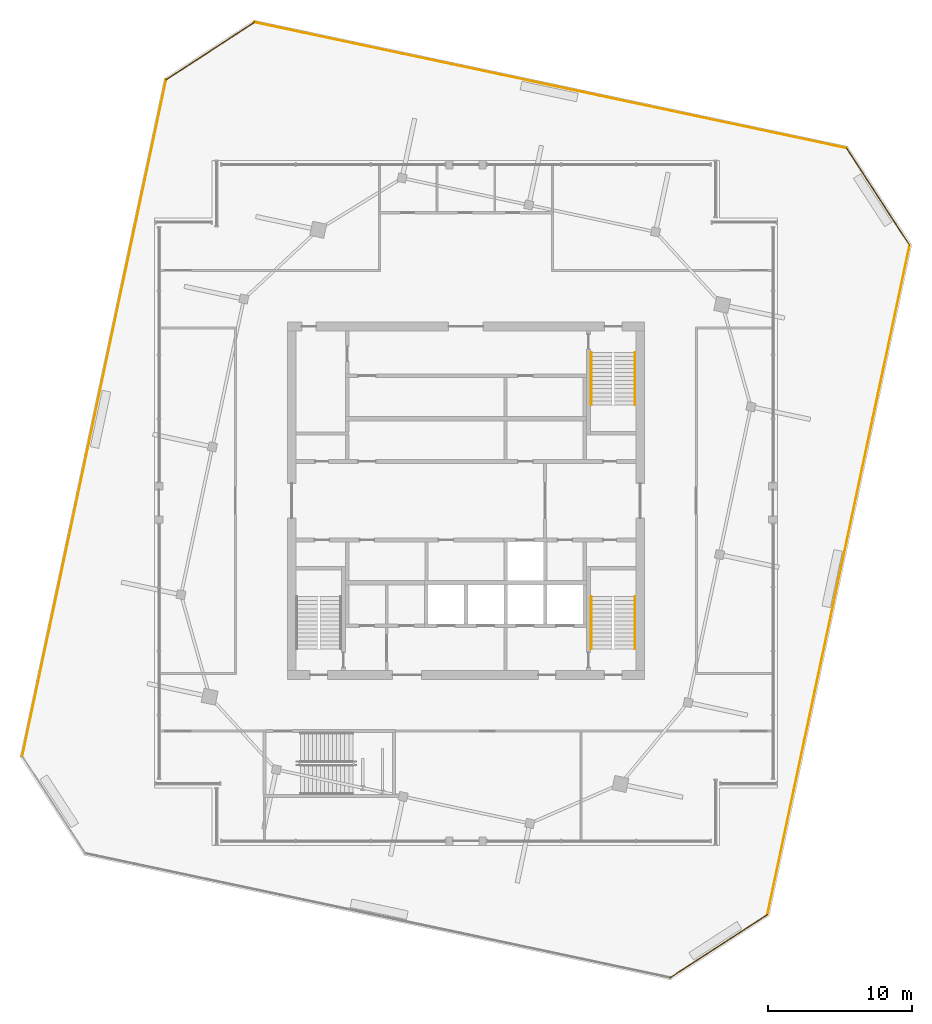
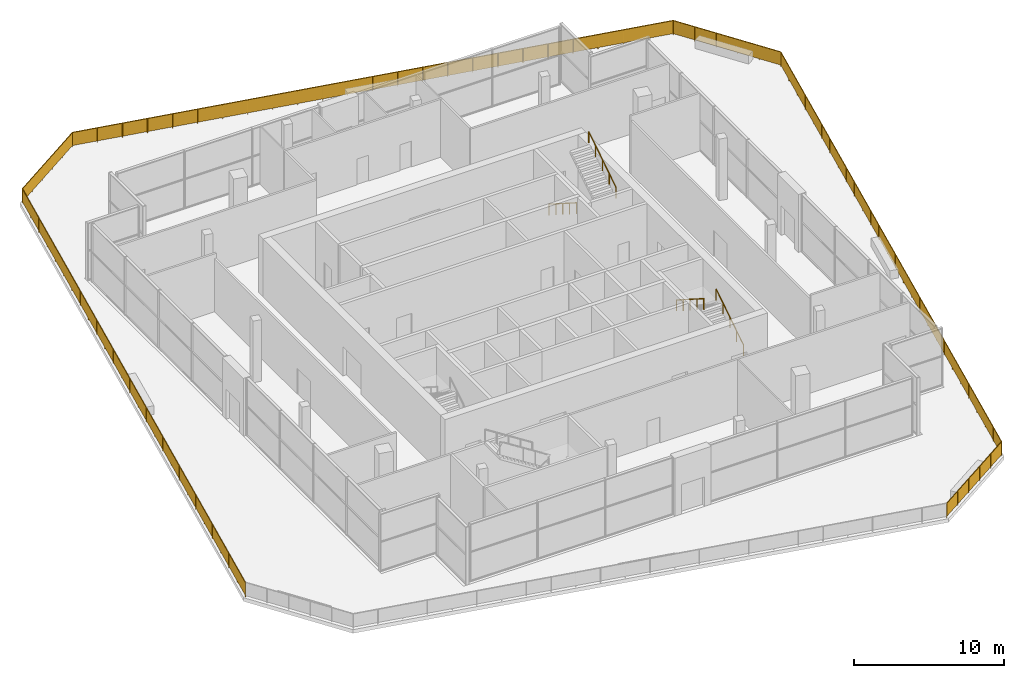
# One storey, part 13 of 14: 10 railings.
"""IFC4 building model written with IfcOpenShell, lengths in metres."""

from ifc_helpers import new_model, si_unit, direction, frame, origin, origin_2d, place, context, subcontext, project, spatial, rectangle, circle, extrude, material, type_object, element, save


model = new_model("IFC4")

# Units and contexts
model_context = context("Model", 3, precision=1e-05, world=origin(), true_north=direction((0.0, 1.0)))
body_context = subcontext(model_context, "Body", "Model", "MODEL_VIEW")
ifc_project = project(units=[si_unit("LENGTHUNIT", "METRE"), si_unit("AREAUNIT", "SQUARE_METRE"), si_unit("VOLUMEUNIT", "CUBIC_METRE"), si_unit("PLANEANGLEUNIT", "RADIAN"), si_unit("MASSUNIT", "GRAM", prefix="KILO")], contexts=[model_context])

# Site, building, storey
site_placement = place(None, origin())
site = spatial("IfcSite", under=ifc_project, at=site_placement, CompositionType="ELEMENT")
building_placement = place(site_placement, origin())
building = spatial("IfcBuilding", under=site, at=building_placement, Name="Dilmun Exchange Tower", CompositionType="ELEMENT")
storey_placement = place(building_placement, frame((0.0, 0.0, 368.10009765625)))
storey = spatial("IfcBuildingStorey", under=building, at=storey_placement, Name="Crown L86", CompositionType="ELEMENT", Elevation=368.10009765625)

# Railings
ifc_material_1 = material(Name="Laminated glass and stainless steel", Category="steel")
railing_type_1 = type_object("IfcRailingType", Name="Public deck guard 1200 laminated glass", PredefinedType="GUARDRAIL", material=ifc_material_1)
railing_1_placement = place(storey_placement, frame((20.931640625, -28.74169921875, 0.0)))
element("IfcRailing", 1, at=railing_1_placement, inside=storey, type_object=railing_type_1, Name="Observation deck guard 1", PredefinedType="GUARDRAIL", context=body_context, shape_type="SweptSolid", body=[
    extrude(circle(Radius=0.02392578125, at=origin_2d()), frame((0.0, 0.0, 1.17578125), z_axis=(0.207914605459, 0.978146981203, 0.0), x_axis=(-0.978146981203, 0.207914605459, 0.0)), (0.0, 0.0, 1.0), 47.523681640625),
    extrude(rectangle(XDim=0.011962890625, YDim=1.0517578125, at=origin_2d()), frame((0.0, 0.0, 0.6259765625), z_axis=(0.207914605459, 0.978146981203, 0.0), x_axis=(-0.978146981203, 0.207914605459, 0.0)), (0.0, 0.0, 1.0), 47.523681640625),
    extrude(circle(Radius=0.02099609375, at=origin_2d()), origin(), (0.0, 0.0, 1.0), 1.15185546875),
    extrude(circle(Radius=0.02099609375, at=origin_2d()), frame((0.365966796875, 1.7216796875, 0.0)), (0.0, 0.0, 1.0), 1.15185546875),
    extrude(circle(Radius=0.02099609375, at=origin_2d()), frame((0.73193359375, 3.443359375, 0.0)), (0.0, 0.0, 1.0), 1.15185546875),
    extrude(circle(Radius=0.02099609375, at=origin_2d()), frame((1.097900390625, 5.1650390625, 0.0)), (0.0, 0.0, 1.0), 1.15185546875),
    extrude(circle(Radius=0.02099609375, at=origin_2d()), frame((1.4638671875, 6.88671875, 0.0)), (0.0, 0.0, 1.0), 1.15185546875),
    extrude(circle(Radius=0.02099609375, at=origin_2d()), frame((1.829833984375, 8.6083984375, 0.0)), (0.0, 0.0, 1.0), 1.15185546875),
    extrude(circle(Radius=0.02099609375, at=origin_2d()), frame((2.19580078125, 10.330078125, 0.0)), (0.0, 0.0, 1.0), 1.15185546875),
    extrude(circle(Radius=0.02099609375, at=origin_2d()), frame((2.561767578125, 12.0517578125, 0.0)), (0.0, 0.0, 1.0), 1.15185546875),
    extrude(circle(Radius=0.02099609375, at=origin_2d()), frame((2.927734375, 13.7734375, 0.0)), (0.0, 0.0, 1.0), 1.15185546875),
    extrude(circle(Radius=0.02099609375, at=origin_2d()), frame((3.293701171875, 15.4951171875, 0.0)), (0.0, 0.0, 1.0), 1.15185546875),
    extrude(circle(Radius=0.02099609375, at=origin_2d()), frame((3.65966796875, 17.216796875, 0.0)), (0.0, 0.0, 1.0), 1.15185546875),
    extrude(circle(Radius=0.02099609375, at=origin_2d()), frame((4.025634765625, 18.9384765625, 0.0)), (0.0, 0.0, 1.0), 1.15185546875),
    extrude(circle(Radius=0.02099609375, at=origin_2d()), frame((4.3916015625, 20.66015625, 0.0)), (0.0, 0.0, 1.0), 1.15185546875),
    extrude(circle(Radius=0.02099609375, at=origin_2d()), frame((4.757568359375, 22.3818359375, 0.0)), (0.0, 0.0, 1.0), 1.15185546875),
    extrude(circle(Radius=0.02099609375, at=origin_2d()), frame((5.123291015625, 24.103271484375, 0.0)), (0.0, 0.0, 1.0), 1.15185546875),
    extrude(circle(Radius=0.02099609375, at=origin_2d()), frame((5.4892578125, 25.824951171875, 0.0)), (0.0, 0.0, 1.0), 1.15185546875),
    extrude(circle(Radius=0.02099609375, at=origin_2d()), frame((5.855224609375, 27.546630859375, 0.0)), (0.0, 0.0, 1.0), 1.15185546875),
    extrude(circle(Radius=0.02099609375, at=origin_2d()), frame((6.22119140625, 29.268310546875, 0.0)), (0.0, 0.0, 1.0), 1.15185546875),
    extrude(circle(Radius=0.02099609375, at=origin_2d()), frame((6.587158203125, 30.989990234375, 0.0)), (0.0, 0.0, 1.0), 1.15185546875),
    extrude(circle(Radius=0.02099609375, at=origin_2d()), frame((6.953125, 32.711669921875, 0.0)), (0.0, 0.0, 1.0), 1.15185546875),
    extrude(circle(Radius=0.02099609375, at=origin_2d()), frame((7.319091796875, 34.433349609375, 0.0)), (0.0, 0.0, 1.0), 1.15185546875),
    extrude(circle(Radius=0.02099609375, at=origin_2d()), frame((7.68505859375, 36.155029296875, 0.0)), (0.0, 0.0, 1.0), 1.15185546875),
    extrude(circle(Radius=0.02099609375, at=origin_2d()), frame((8.051025390625, 37.876708984375, 0.0)), (0.0, 0.0, 1.0), 1.15185546875),
    extrude(circle(Radius=0.02099609375, at=origin_2d()), frame((8.4169921875, 39.598388671875, 0.0)), (0.0, 0.0, 1.0), 1.15185546875),
    extrude(circle(Radius=0.02099609375, at=origin_2d()), frame((8.782958984375, 41.320068359375, 0.0)), (0.0, 0.0, 1.0), 1.15185546875),
    extrude(circle(Radius=0.02099609375, at=origin_2d()), frame((9.14892578125, 43.041748046875, 0.0)), (0.0, 0.0, 1.0), 1.15185546875),
    extrude(circle(Radius=0.02099609375, at=origin_2d()), frame((9.514892578125, 44.763427734375, 0.0)), (0.0, 0.0, 1.0), 1.15185546875),
    extrude(circle(Radius=0.02099609375, at=origin_2d()), frame((9.880859375, 46.485107421875, 0.0)), (0.0, 0.0, 1.0), 1.15185546875),
])
railing_2_placement = place(storey_placement, frame((30.8125, 17.743408203125, 0.0)))
element("IfcRailing", 2, at=railing_2_placement, inside=storey, type_object=railing_type_1, Name="Observation deck guard 2", PredefinedType="GUARDRAIL", context=body_context, shape_type="SweptSolid", body=[
    extrude(circle(Radius=0.02392578125, at=origin_2d()), frame((0.0, 0.0, 1.17578125), z_axis=(-0.544658673741, 0.838657814081, 0.0), x_axis=(-0.838657814081, -0.544658673741, 0.0)), (0.0, 0.0, 1.0), 8.044189453125),
    extrude(rectangle(XDim=0.011962890625, YDim=1.0517578125, at=origin_2d()), frame((0.0, 0.0, 0.6259765625), z_axis=(-0.544658673741, 0.838657814081, 0.0), x_axis=(-0.838657814081, -0.544658673741, 0.0)), (0.0, 0.0, 1.0), 8.044189453125),
    extrude(circle(Radius=0.02099609375, at=origin_2d()), origin(), (0.0, 0.0, 1.0), 1.15185546875),
    extrude(circle(Radius=0.02099609375, at=origin_2d()), frame((-0.876220703125, 1.349365234375, 0.0)), (0.0, 0.0, 1.0), 1.15185546875),
    extrude(circle(Radius=0.02099609375, at=origin_2d()), frame((-1.75244140625, 2.698486328125, 0.0)), (0.0, 0.0, 1.0), 1.15185546875),
    extrude(circle(Radius=0.02099609375, at=origin_2d()), frame((-2.62890625, 4.0478515625, 0.0)), (0.0, 0.0, 1.0), 1.15185546875),
    extrude(circle(Radius=0.02099609375, at=origin_2d()), frame((-3.505126953125, 5.39697265625, 0.0)), (0.0, 0.0, 1.0), 1.15185546875),
    extrude(circle(Radius=0.02099609375, at=origin_2d()), frame((-4.38134765625, 6.746337890625, 0.0)), (0.0, 0.0, 1.0), 1.15185546875),
])
railing_3_placement = place(storey_placement, frame((26.43115234375, 24.48974609375, 0.0)))
element("IfcRailing", 3, at=railing_3_placement, inside=storey, type_object=railing_type_1, Name="Observation deck guard 3", PredefinedType="GUARDRAIL", context=body_context, shape_type="SweptSolid", body=[
    extrude(circle(Radius=0.02392578125, at=origin_2d()), frame((0.0, 0.0, 1.17578125), z_axis=(-0.97814693689, 0.207914813934, 0.0), x_axis=(-0.207914813934, -0.97814693689, 0.0)), (0.0, 0.0, 1.0), 42.033935546875),
    extrude(rectangle(XDim=0.011962890625, YDim=1.0517578125, at=origin_2d()), frame((0.0, 0.0, 0.6259765625), z_axis=(-0.97814693689, 0.207914813934, 0.0), x_axis=(-0.207914813934, -0.97814693689, 0.0)), (0.0, 0.0, 1.0), 42.033935546875),
    extrude(circle(Radius=0.02099609375, at=origin_2d()), origin(), (0.0, 0.0, 1.0), 1.15185546875),
    extrude(circle(Radius=0.02099609375, at=origin_2d()), frame((-1.713134765625, 0.3642578125, 0.0)), (0.0, 0.0, 1.0), 1.15185546875),
    extrude(circle(Radius=0.02099609375, at=origin_2d()), frame((-3.42626953125, 0.728271484375, 0.0)), (0.0, 0.0, 1.0), 1.15185546875),
    extrude(circle(Radius=0.02099609375, at=origin_2d()), frame((-5.139404296875, 1.092529296875, 0.0)), (0.0, 0.0, 1.0), 1.15185546875),
    extrude(circle(Radius=0.02099609375, at=origin_2d()), frame((-6.8525390625, 1.45654296875, 0.0)), (0.0, 0.0, 1.0), 1.15185546875),
    extrude(circle(Radius=0.02099609375, at=origin_2d()), frame((-8.565673828125, 1.82080078125, 0.0)), (0.0, 0.0, 1.0), 1.15185546875),
    extrude(circle(Radius=0.02099609375, at=origin_2d()), frame((-10.27880859375, 2.184814453125, 0.0)), (0.0, 0.0, 1.0), 1.15185546875),
    extrude(circle(Radius=0.02099609375, at=origin_2d()), frame((-11.991943359375, 2.549072265625, 0.0)), (0.0, 0.0, 1.0), 1.15185546875),
    extrude(circle(Radius=0.02099609375, at=origin_2d()), frame((-13.705078125, 2.9130859375, 0.0)), (0.0, 0.0, 1.0), 1.15185546875),
    extrude(circle(Radius=0.02099609375, at=origin_2d()), frame((-15.418212890625, 3.27734375, 0.0)), (0.0, 0.0, 1.0), 1.15185546875),
    extrude(circle(Radius=0.02099609375, at=origin_2d()), frame((-17.13134765625, 3.641357421875, 0.0)), (0.0, 0.0, 1.0), 1.15185546875),
    extrude(circle(Radius=0.02099609375, at=origin_2d()), frame((-18.844482421875, 4.005615234375, 0.0)), (0.0, 0.0, 1.0), 1.15185546875),
    extrude(circle(Radius=0.02099609375, at=origin_2d()), frame((-20.5576171875, 4.36962890625, 0.0)), (0.0, 0.0, 1.0), 1.15185546875),
    extrude(circle(Radius=0.02099609375, at=origin_2d()), frame((-22.27099609375, 4.73388671875, 0.0)), (0.0, 0.0, 1.0), 1.15185546875),
    extrude(circle(Radius=0.02099609375, at=origin_2d()), frame((-23.984130859375, 5.09814453125, 0.0)), (0.0, 0.0, 1.0), 1.15185546875),
    extrude(circle(Radius=0.02099609375, at=origin_2d()), frame((-25.697265625, 5.462158203125, 0.0)), (0.0, 0.0, 1.0), 1.15185546875),
    extrude(circle(Radius=0.02099609375, at=origin_2d()), frame((-27.410400390625, 5.826416015625, 0.0)), (0.0, 0.0, 1.0), 1.15185546875),
    extrude(circle(Radius=0.02099609375, at=origin_2d()), frame((-29.12353515625, 6.1904296875, 0.0)), (0.0, 0.0, 1.0), 1.15185546875),
    extrude(circle(Radius=0.02099609375, at=origin_2d()), frame((-30.836669921875, 6.5546875, 0.0)), (0.0, 0.0, 1.0), 1.15185546875),
    extrude(circle(Radius=0.02099609375, at=origin_2d()), frame((-32.5498046875, 6.918701171875, 0.0)), (0.0, 0.0, 1.0), 1.15185546875),
    extrude(circle(Radius=0.02099609375, at=origin_2d()), frame((-34.262939453125, 7.282958984375, 0.0)), (0.0, 0.0, 1.0), 1.15185546875),
    extrude(circle(Radius=0.02099609375, at=origin_2d()), frame((-35.97607421875, 7.64697265625, 0.0)), (0.0, 0.0, 1.0), 1.15185546875),
    extrude(circle(Radius=0.02099609375, at=origin_2d()), frame((-37.689208984375, 8.01123046875, 0.0)), (0.0, 0.0, 1.0), 1.15185546875),
    extrude(circle(Radius=0.02099609375, at=origin_2d()), frame((-39.40234375, 8.375244140625, 0.0)), (0.0, 0.0, 1.0), 1.15185546875),
    extrude(circle(Radius=0.02099609375, at=origin_2d()), frame((-41.115478515625, 8.739501953125, 0.0)), (0.0, 0.0, 1.0), 1.15185546875),
])
railing_4_placement = place(storey_placement, frame((-14.684326171875, 33.229248046875, 0.0)))
element("IfcRailing", 4, at=railing_4_placement, inside=storey, type_object=railing_type_1, Name="Observation deck guard 4", PredefinedType="GUARDRAIL", context=body_context, shape_type="SweptSolid", body=[
    extrude(circle(Radius=0.02392578125, at=origin_2d()), frame((0.0, 0.0, 1.17578125), z_axis=(-0.838658363012, -0.544657828503, 0.0), x_axis=(0.544657828503, -0.838658363012, 0.0)), (0.0, 0.0, 1.0), 7.322509765625),
    extrude(rectangle(XDim=0.011962890625, YDim=1.0517578125, at=origin_2d()), frame((0.0, 0.0, 0.6259765625), z_axis=(-0.838658363012, -0.544657828503, 0.0), x_axis=(0.544657828503, -0.838658363012, 0.0)), (0.0, 0.0, 1.0), 7.322509765625),
    extrude(circle(Radius=0.02099609375, at=origin_2d()), origin(), (0.0, 0.0, 1.0), 1.15185546875),
    extrude(circle(Radius=0.02099609375, at=origin_2d()), frame((-1.228271484375, -0.797607421875, 0.0)), (0.0, 0.0, 1.0), 1.15185546875),
    extrude(circle(Radius=0.02099609375, at=origin_2d()), frame((-2.45654296875, -1.59521484375, 0.0)), (0.0, 0.0, 1.0), 1.15185546875),
    extrude(circle(Radius=0.02099609375, at=origin_2d()), frame((-3.6845703125, -2.39306640625, 0.0)), (0.0, 0.0, 1.0), 1.15185546875),
    extrude(circle(Radius=0.02099609375, at=origin_2d()), frame((-4.912841796875, -3.190673828125, 0.0)), (0.0, 0.0, 1.0), 1.15185546875),
    extrude(circle(Radius=0.02099609375, at=origin_2d()), frame((-6.14111328125, -3.98828125, 0.0)), (0.0, 0.0, 1.0), 1.15185546875),
])
railing_5_placement = place(storey_placement, frame((-20.825439453125, 29.240966796875, 0.0)))
element("IfcRailing", 5, at=railing_5_placement, inside=storey, type_object=railing_type_1, Name="Observation deck guard 5", PredefinedType="GUARDRAIL", context=body_context, shape_type="SweptSolid", body=[
    extrude(circle(Radius=0.02392578125, at=origin_2d()), frame((0.0, 0.0, 1.17578125), z_axis=(-0.207916139534, -0.978146655119, 0.0), x_axis=(0.978146655119, -0.207916139534, 0.0)), (0.0, 0.0, 1.0), 48.0341796875),
    extrude(rectangle(XDim=0.011962890625, YDim=1.0517578125, at=origin_2d()), frame((0.0, 0.0, 0.6259765625), z_axis=(-0.207916139534, -0.978146655119, 0.0), x_axis=(0.978146655119, -0.207916139534, 0.0)), (0.0, 0.0, 1.0), 48.0341796875),
    extrude(circle(Radius=0.02099609375, at=origin_2d()), origin(), (0.0, 0.0, 1.0), 1.15185546875),
    extrude(circle(Radius=0.02099609375, at=origin_2d()), frame((-0.369873046875, -1.740234375, 0.0)), (0.0, 0.0, 1.0), 1.15185546875),
    extrude(circle(Radius=0.02099609375, at=origin_2d()), frame((-0.73974609375, -3.480224609375, 0.0)), (0.0, 0.0, 1.0), 1.15185546875),
    extrude(circle(Radius=0.02099609375, at=origin_2d()), frame((-1.109619140625, -5.220458984375, 0.0)), (0.0, 0.0, 1.0), 1.15185546875),
    extrude(circle(Radius=0.02099609375, at=origin_2d()), frame((-1.4794921875, -6.960693359375, 0.0)), (0.0, 0.0, 1.0), 1.15185546875),
    extrude(circle(Radius=0.02099609375, at=origin_2d()), frame((-1.849365234375, -8.700927734375, 0.0)), (0.0, 0.0, 1.0), 1.15185546875),
    extrude(circle(Radius=0.02099609375, at=origin_2d()), frame((-2.21923828125, -10.44091796875, 0.0)), (0.0, 0.0, 1.0), 1.15185546875),
    extrude(circle(Radius=0.02099609375, at=origin_2d()), frame((-2.58935546875, -12.18115234375, 0.0)), (0.0, 0.0, 1.0), 1.15185546875),
    extrude(circle(Radius=0.02099609375, at=origin_2d()), frame((-2.959228515625, -13.92138671875, 0.0)), (0.0, 0.0, 1.0), 1.15185546875),
    extrude(circle(Radius=0.02099609375, at=origin_2d()), frame((-3.3291015625, -15.661376953125, 0.0)), (0.0, 0.0, 1.0), 1.15185546875),
    extrude(circle(Radius=0.02099609375, at=origin_2d()), frame((-3.698974609375, -17.401611328125, 0.0)), (0.0, 0.0, 1.0), 1.15185546875),
    extrude(circle(Radius=0.02099609375, at=origin_2d()), frame((-4.06884765625, -19.141845703125, 0.0)), (0.0, 0.0, 1.0), 1.15185546875),
    extrude(circle(Radius=0.02099609375, at=origin_2d()), frame((-4.438720703125, -20.8818359375, 0.0)), (0.0, 0.0, 1.0), 1.15185546875),
    extrude(circle(Radius=0.02099609375, at=origin_2d()), frame((-4.80859375, -22.6220703125, 0.0)), (0.0, 0.0, 1.0), 1.15185546875),
    extrude(circle(Radius=0.02099609375, at=origin_2d()), frame((-5.178466796875, -24.3623046875, 0.0)), (0.0, 0.0, 1.0), 1.15185546875),
    extrude(circle(Radius=0.02099609375, at=origin_2d()), frame((-5.54833984375, -26.1025390625, 0.0)), (0.0, 0.0, 1.0), 1.15185546875),
    extrude(circle(Radius=0.02099609375, at=origin_2d()), frame((-5.918212890625, -27.842529296875, 0.0)), (0.0, 0.0, 1.0), 1.15185546875),
    extrude(circle(Radius=0.02099609375, at=origin_2d()), frame((-6.2880859375, -29.582763671875, 0.0)), (0.0, 0.0, 1.0), 1.15185546875),
    extrude(circle(Radius=0.02099609375, at=origin_2d()), frame((-6.657958984375, -31.322998046875, 0.0)), (0.0, 0.0, 1.0), 1.15185546875),
    extrude(circle(Radius=0.02099609375, at=origin_2d()), frame((-7.02783203125, -33.06298828125, 0.0)), (0.0, 0.0, 1.0), 1.15185546875),
    extrude(circle(Radius=0.02099609375, at=origin_2d()), frame((-7.397705078125, -34.80322265625, 0.0)), (0.0, 0.0, 1.0), 1.15185546875),
    extrude(circle(Radius=0.02099609375, at=origin_2d()), frame((-7.767822265625, -36.54345703125, 0.0)), (0.0, 0.0, 1.0), 1.15185546875),
    extrude(circle(Radius=0.02099609375, at=origin_2d()), frame((-8.1376953125, -38.283447265625, 0.0)), (0.0, 0.0, 1.0), 1.15185546875),
    extrude(circle(Radius=0.02099609375, at=origin_2d()), frame((-8.507568359375, -40.023681640625, 0.0)), (0.0, 0.0, 1.0), 1.15185546875),
    extrude(circle(Radius=0.02099609375, at=origin_2d()), frame((-8.87744140625, -41.763916015625, 0.0)), (0.0, 0.0, 1.0), 1.15185546875),
    extrude(circle(Radius=0.02099609375, at=origin_2d()), frame((-9.247314453125, -43.504150390625, 0.0)), (0.0, 0.0, 1.0), 1.15185546875),
    extrude(circle(Radius=0.02099609375, at=origin_2d()), frame((-9.6171875, -45.244140625, 0.0)), (0.0, 0.0, 1.0), 1.15185546875),
    extrude(circle(Radius=0.02099609375, at=origin_2d()), frame((-9.987060546875, -46.984375, 0.0)), (0.0, 0.0, 1.0), 1.15185546875),
])
railing_6_placement = place(storey_placement, frame((14.18505859375, -33.123046875, 0.0)))
element("IfcRailing", 6, at=railing_6_placement, inside=storey, type_object=railing_type_1, Name="Observation deck guard 8", PredefinedType="GUARDRAIL", context=body_context, shape_type="SweptSolid", body=[
    extrude(circle(Radius=0.02392578125, at=origin_2d()), frame((0.0, 0.0, 1.17578125), z_axis=(0.838666817117, 0.54464481074, 0.0), x_axis=(-0.54464481074, 0.838666817117, 0.0)), (0.0, 0.0, 1.0), 8.04443359375),
    extrude(rectangle(XDim=0.011962890625, YDim=1.0517578125, at=origin_2d()), frame((0.0, 0.0, 0.6259765625), z_axis=(0.838666817117, 0.54464481074, 0.0), x_axis=(-0.54464481074, 0.838666817117, 0.0)), (0.0, 0.0, 1.0), 8.04443359375),
    extrude(circle(Radius=0.02099609375, at=origin_2d()), origin(), (0.0, 0.0, 1.0), 1.15185546875),
    extrude(circle(Radius=0.02099609375, at=origin_2d()), frame((1.349365234375, 0.876220703125, 0.0)), (0.0, 0.0, 1.0), 1.15185546875),
    extrude(circle(Radius=0.02099609375, at=origin_2d()), frame((2.69873046875, 1.75244140625, 0.0)), (0.0, 0.0, 1.0), 1.15185546875),
    extrude(circle(Radius=0.02099609375, at=origin_2d()), frame((4.0478515625, 2.62890625, 0.0)), (0.0, 0.0, 1.0), 1.15185546875),
    extrude(circle(Radius=0.02099609375, at=origin_2d()), frame((5.397216796875, 3.505126953125, 0.0)), (0.0, 0.0, 1.0), 1.15185546875),
    extrude(circle(Radius=0.02099609375, at=origin_2d()), frame((6.74658203125, 4.38134765625, 0.0)), (0.0, 0.0, 1.0), 1.15185546875),
])
ifc_material_2 = material(Name="Stainless steel", Category="steel")
railing_type_2 = type_object("IfcRailingType", Name="Stair handrail 900", PredefinedType="HANDRAIL", material=ifc_material_2)
railing_7_placement = place(storey_placement, frame((8.699951171875, 10.300048828125, 0.178466796875)))
element("IfcRailing", 7, at=railing_7_placement, inside=storey, type_object=railing_type_2, Name="Crown L86 ST1 stair handrail 1", PredefinedType="HANDRAIL", context=body_context, shape_type="SweptSolid", body=[
    extrude(circle(Radius=0.02392578125, at=origin_2d()), frame((0.0, 0.0, 0.8759765625), z_axis=(0.0, -0.843127859045, 0.537713132908), x_axis=(1.0, 0.0, 0.0)), (0.0, 0.0, 1.0), 4.3173828125),
    extrude(circle(Radius=0.02099609375, at=origin_2d()), origin(), (0.0, 0.0, 1.0), 0.851806640625),
    extrude(circle(Radius=0.02099609375, at=origin_2d()), frame((0.0, -0.91015625, 0.580322265625)), (0.0, 0.0, 1.0), 0.851806640625),
    extrude(circle(Radius=0.02099609375, at=origin_2d()), frame((0.0, -1.820068359375, 1.16064453125)), (0.0, 0.0, 1.0), 0.851806640625),
    extrude(circle(Radius=0.02099609375, at=origin_2d()), frame((0.0, -2.72998046875, 1.7412109375)), (0.0, 0.0, 1.0), 0.851806640625),
    extrude(circle(Radius=0.02099609375, at=origin_2d()), frame((0.0, -3.64013671875, 2.321533203125)), (0.0, 0.0, 1.0), 0.851806640625),
])
for number, where, name in (
    (8, (11.75, 6.659912109375, 2.678466796875), "Crown L86 ST1 stair handrail 2"),
    (9, (11.75, -10.300048828125, 0.178466796875), "Crown L86 ST3 stair handrail 1"),
):
    element("IfcRailing", number, at=place(storey_placement, frame(where)), inside=storey, type_object=railing_type_2, Name=name, PredefinedType="HANDRAIL", context=body_context, shape_type="SweptSolid", body=[
        extrude(circle(Radius=0.02392578125, at=origin_2d()), frame((0.0, 0.0, 0.8759765625), z_axis=(0.0, 0.843127859045, 0.537713132908), x_axis=(-1.0, 0.0, 0.0)), (0.0, 0.0, 1.0), 4.3173828125),
        extrude(circle(Radius=0.02099609375, at=origin_2d()), origin(), (0.0, 0.0, 1.0), 0.851806640625),
        extrude(circle(Radius=0.02099609375, at=origin_2d()), frame((0.0, 0.91015625, 0.580322265625)), (0.0, 0.0, 1.0), 0.851806640625),
        extrude(circle(Radius=0.02099609375, at=origin_2d()), frame((0.0, 1.820068359375, 1.16064453125)), (0.0, 0.0, 1.0), 0.851806640625),
        extrude(circle(Radius=0.02099609375, at=origin_2d()), frame((0.0, 2.72998046875, 1.7412109375)), (0.0, 0.0, 1.0), 0.851806640625),
        extrude(circle(Radius=0.02099609375, at=origin_2d()), frame((0.0, 3.64013671875, 2.321533203125)), (0.0, 0.0, 1.0), 0.851806640625),
    ])
railing_8_placement = place(storey_placement, frame((8.699951171875, -6.659912109375, 2.678466796875)))
element("IfcRailing", 10, at=railing_8_placement, inside=storey, type_object=railing_type_2, Name="Crown L86 ST3 stair handrail 2", PredefinedType="HANDRAIL", context=body_context, shape_type="SweptSolid", body=[
    extrude(circle(Radius=0.02392578125, at=origin_2d()), frame((0.0, 0.0, 0.8759765625), z_axis=(0.0, -0.843127859045, 0.537713132908), x_axis=(1.0, 0.0, 0.0)), (0.0, 0.0, 1.0), 4.3173828125),
    extrude(circle(Radius=0.02099609375, at=origin_2d()), origin(), (0.0, 0.0, 1.0), 0.851806640625),
    extrude(circle(Radius=0.02099609375, at=origin_2d()), frame((0.0, -0.91015625, 0.580322265625)), (0.0, 0.0, 1.0), 0.851806640625),
    extrude(circle(Radius=0.02099609375, at=origin_2d()), frame((0.0, -1.820068359375, 1.16064453125)), (0.0, 0.0, 1.0), 0.851806640625),
    extrude(circle(Radius=0.02099609375, at=origin_2d()), frame((0.0, -2.72998046875, 1.7412109375)), (0.0, 0.0, 1.0), 0.851806640625),
    extrude(circle(Radius=0.02099609375, at=origin_2d()), frame((0.0, -3.64013671875, 2.321533203125)), (0.0, 0.0, 1.0), 0.851806640625),
])

save(model, "model.ifc")
